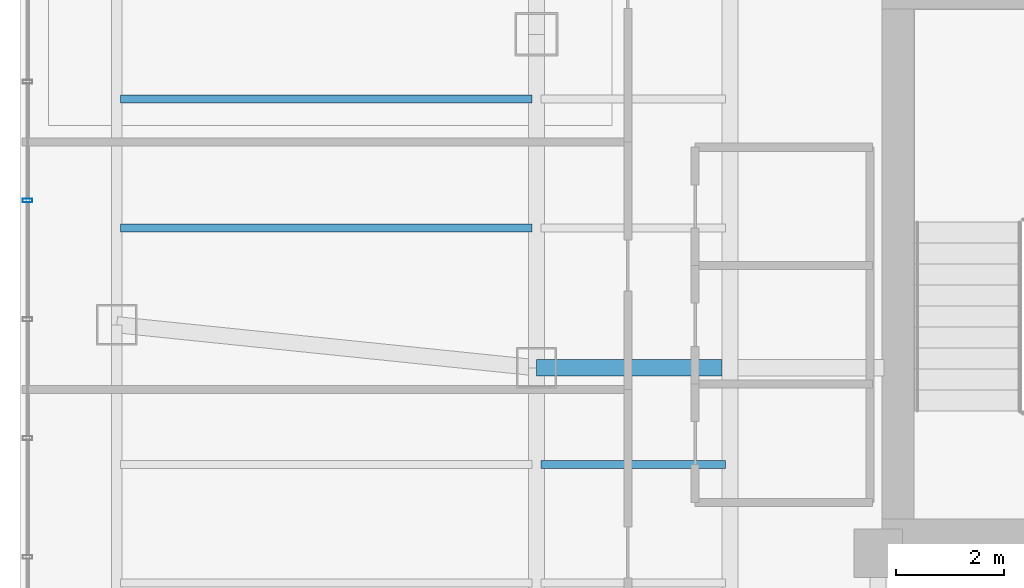
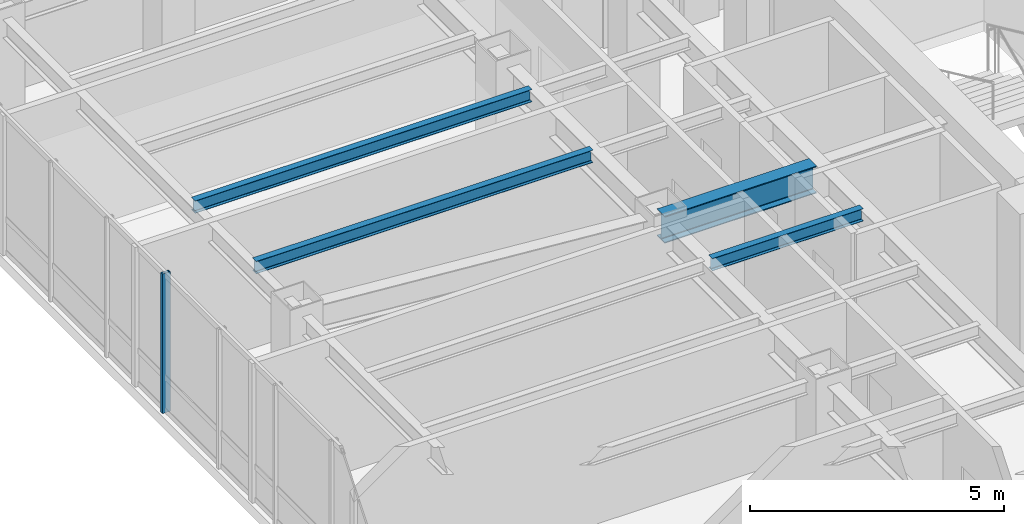
# One storey, part 8 of 27: 4 beams, 1 member, 1 element without a shape of its own.
"""IFC4 building model written with IfcOpenShell, lengths in metres."""

from ifc_helpers import new_model, si_unit, direction, frame, origin, origin_2d, place, context, subcontext, project, spatial, hollow_rectangle, i_section, extrude, material, layer, layer_set, material_profile, profile_set, type_object, element, aggregate, save


model = new_model("IFC4")

# Units and contexts
model_context = context("Model", 3, precision=1e-05, world=origin(), true_north=direction((0.0, 1.0)))
body_context = subcontext(model_context, "Body", "Model", "MODEL_VIEW")
ifc_project = project(units=[si_unit("LENGTHUNIT", "METRE"), si_unit("AREAUNIT", "SQUARE_METRE"), si_unit("VOLUMEUNIT", "CUBIC_METRE"), si_unit("PLANEANGLEUNIT", "RADIAN"), si_unit("MASSUNIT", "GRAM", prefix="KILO")], contexts=[model_context])

# Site, building, storey
site_placement = place(None, origin())
site = spatial("IfcSite", under=ifc_project, at=site_placement, CompositionType="ELEMENT")
building_placement = place(site_placement, origin())
building = spatial("IfcBuilding", under=site, at=building_placement, Name="Hatsunagi Terrace Concourse", CompositionType="ELEMENT")
storey_placement = place(building_placement, frame((0.0, 0.0, 167.25)))
storey = spatial("IfcBuildingStorey", under=building, at=storey_placement, Name="L44", CompositionType="ELEMENT", Elevation=167.25)

# Curtain wall, member
ifc_material_1 = material(Name="Anodised Aluminium Alloy 6063-T5", Category="aluminium")
ifc_layer = layer(ifc_material_1, 0.199951171875)
ifc_layer_set = layer_set([ifc_layer], Name="OfficeZone1_CW03")
curtain_wall_type = type_object("IfcCurtainWallType", Name="OfficeZone1_CW03", PredefinedType="NOTDEFINED", material=ifc_layer_set)
curtain_wall_placement = place(storey_placement, origin())
curtain_wall = element("IfcCurtainWall", 1, at=curtain_wall_placement, inside=storey, type_object=curtain_wall_type, Name="Unitised Curtain Wall CW-03 CW-L44-09", PredefinedType="NOTDEFINED")
ifc_material_2 = material(Name="Anodised Aluminium Alloy 6063-T5", Category="aluminium")
ifc_material_profile_1 = material_profile(ifc_material_2, hollow_rectangle(XDim=0.070068359375, YDim=0.179931640625, WallThickness=0.00390625, at=origin_2d()), Name="ALU-MUL-180x70x4")
ifc_profile_set_1 = profile_set([ifc_material_profile_1], Name="Anodised Aluminium Alloy 6063-T5")
member_type = type_object("IfcMemberType", Name="CurtainWallMullion_180x70", PredefinedType="MULLION", material=ifc_profile_set_1)
member_placement = place(storey_placement, frame((9.739990234375, 39.10791015625, 0.0), z_axis=(0.0, 0.0, 1.0), x_axis=(0.0, 1.0, 0.0)))
member = element("IfcMember", 2, at=member_placement, type_object=member_type, Name="Curtain Wall Mullion MUL-02", PredefinedType="MULLION", context=body_context, shape_type="SweptSolid", body=[
    extrude(hollow_rectangle(XDim=0.070068359375, YDim=0.179931640625, WallThickness=0.00390625, at=origin_2d()), origin(), (0.0, 0.0, 1.0), 3.35009765625),
])
aggregate(curtain_wall, [member])

# Beams
ifc_material_3 = material(Name="Steel SN490B", Category="steel")
ifc_material_profile_2 = material_profile(ifc_material_3, i_section(OverallWidth=0.14990234375, OverallDepth=0.300048828125, WebThickness=0.006591796875, FlangeThickness=0.009033203125, FilletRadius=0.010986328125, at=origin_2d()), Name="H-300x150x6.5x9")
ifc_profile_set_2 = profile_set([ifc_material_profile_2], Name="Steel SN490B")
beam_type_1 = type_object("IfcBeamType", Name="OfficeJoist_H_300x150", PredefinedType="JOIST", material=ifc_profile_set_2)
beam_1_placement = place(storey_placement, frame((19.284912109375, 34.199951171875, 3.199951171875), z_axis=(1.0, 0.0, 0.0), x_axis=(0.0, 1.0, 0.0)))
element("IfcBeam", 3, at=beam_1_placement, inside=storey, type_object=beam_type_1, Name="Beam J-03 J-L44-W-19-342", PredefinedType="JOIST", context=body_context, shape_type="SweptSolid", body=[
    extrude(i_section(OverallWidth=0.14990234375, OverallDepth=0.300048828125, WebThickness=0.006591796875, FlangeThickness=0.009033203125, FilletRadius=0.010986328125, at=origin_2d()), origin(), (0.0, 0.0, 1.0), 3.43017578125),
])
for number, where, z_axis, x_axis, name in (
    (4, (11.465087890625, 38.60009765625, 3.199951171875), (1.0, 0.0, 0.0), (0.0, 1.0, 0.0), "Beam J-03 J-L44-W-11-386"),
    (5, (11.465087890625, 41.0, 3.199951171875), (1.0, 0.0, 0.0), (0.0, 1.0, 0.0), "Beam J-03 J-L44-W-11-410"),
):
    element("IfcBeam", number, at=place(storey_placement, frame(where, z_axis=z_axis, x_axis=x_axis)), inside=storey, type_object=beam_type_1, Name=name, PredefinedType="JOIST", context=body_context, shape_type="SweptSolid", body=[
        extrude(i_section(OverallWidth=0.14990234375, OverallDepth=0.300048828125, WebThickness=0.006591796875, FlangeThickness=0.009033203125, FilletRadius=0.010986328125, at=origin_2d()), origin(), (0.0, 0.0, 1.0), 7.64990234375),
    ])
ifc_material_4 = material(Name="Steel SN490B", Category="steel")
ifc_material_profile_3 = material_profile(ifc_material_4, i_section(OverallWidth=0.300048828125, OverallDepth=0.64990234375, WebThickness=0.012939453125, FlangeThickness=0.02197265625, FilletRadius=0.01806640625, at=origin_2d()), Name="H-650x300x13x22")
ifc_profile_set_3 = profile_set([ifc_material_profile_3], Name="Steel SN490B")
beam_type_2 = type_object("IfcBeamType", Name="OfficeLowGirder_H_650x300", PredefinedType="BEAM", material=ifc_profile_set_3)
beam_2_placement = place(storey_placement, frame((19.199951171875, 36.0, 3.02490234375), z_axis=(1.0, 0.0, 0.0), x_axis=(0.0, 1.0, 0.0)))
element("IfcBeam", 6, at=beam_2_placement, inside=storey, type_object=beam_type_2, Name="Beam G-05 BM-L44-EW-3", PredefinedType="BEAM", context=body_context, shape_type="SweptSolid", body=[
    extrude(i_section(OverallWidth=0.300048828125, OverallDepth=0.64990234375, WebThickness=0.012939453125, FlangeThickness=0.02197265625, FilletRadius=0.01806640625, at=origin_2d()), origin(), (0.0, 0.0, 1.0), 3.449951171875),
])

save(model, "model.ifc")
